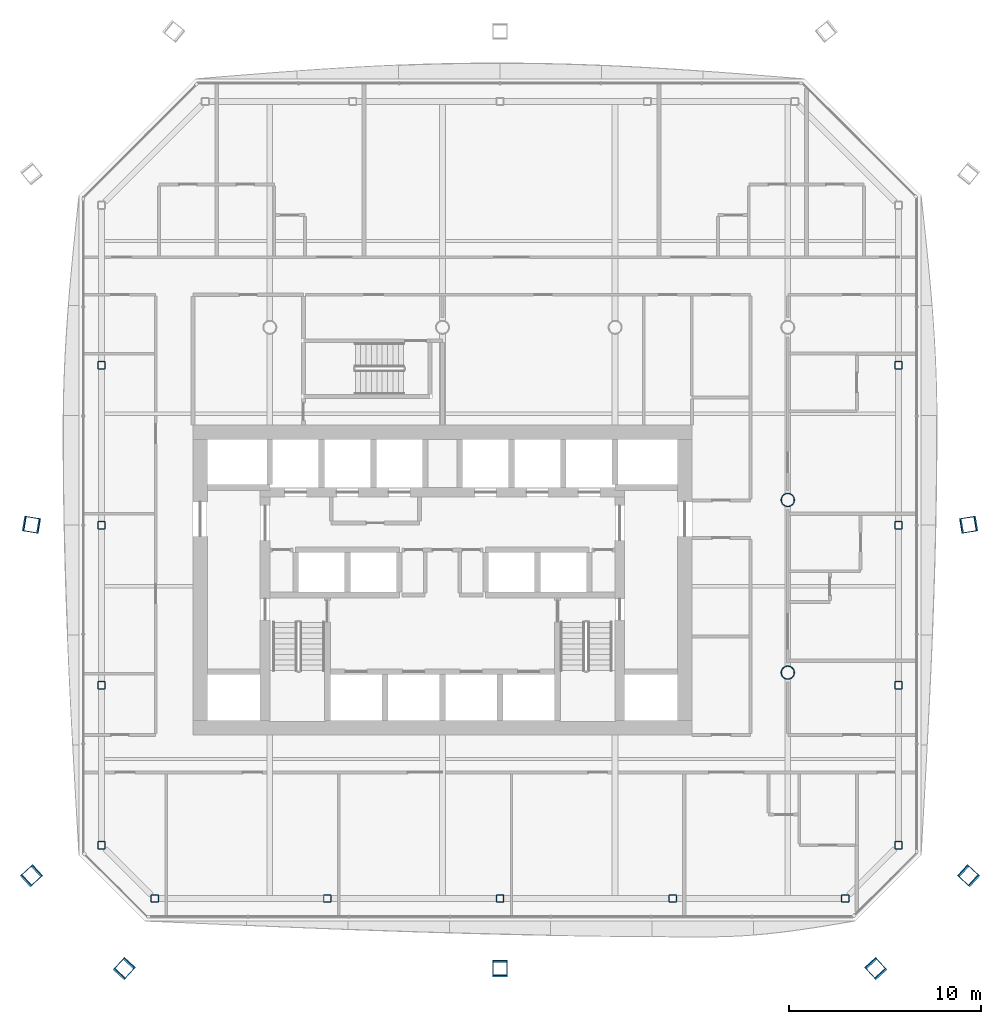
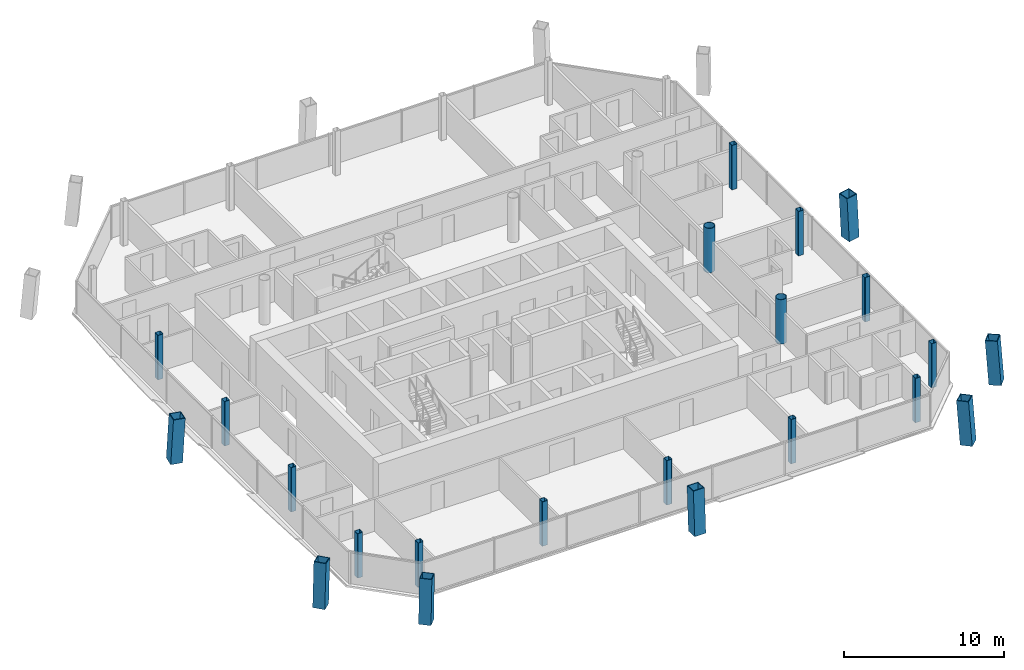
# One storey, part 1 of 17: 22 columns.
"""IFC4 building model written with IfcOpenShell, lengths in metres."""

from ifc_helpers import new_model, si_unit, direction, frame, origin, origin_2d, place, context, subcontext, project, spatial, hollow_rectangle, hollow_circle, extrude, material, material_profile, profile_set, type_object, element, save


model = new_model("IFC4")

# Units and contexts
model_context = context("Model", 3, precision=1e-05, world=origin(), true_north=direction((0.0, 1.0)))
body_context = subcontext(model_context, "Body", "Model", "MODEL_VIEW")
ifc_project = project(units=[si_unit("LENGTHUNIT", "METRE"), si_unit("AREAUNIT", "SQUARE_METRE"), si_unit("VOLUMEUNIT", "CUBIC_METRE"), si_unit("PLANEANGLEUNIT", "RADIAN"), si_unit("MASSUNIT", "GRAM", prefix="KILO")], contexts=[model_context])

# Site, building, storey
site_placement = place(None, origin())
site = spatial("IfcSite", under=ifc_project, at=site_placement, CompositionType="ELEMENT")
building_placement = place(site_placement, origin())
building = spatial("IfcBuilding", under=site, at=building_placement, Name="Tskaro Facet Tower", CompositionType="ELEMENT")
storey_placement = place(building_placement, frame((0.0, 0.0, 158.89990234375)))
storey = spatial("IfcBuildingStorey", under=building, at=storey_placement, Name="L39", CompositionType="ELEMENT", Elevation=158.89990234375)

# Columns
ifc_material_1 = material(Name="Steel S460M", Category="steel")
ifc_material_profile_1 = material_profile(ifc_material_1, hollow_rectangle(XDim=0.800048828125, YDim=0.800048828125, WallThickness=0.050048828125, at=origin_2d()), Name="BOX 800x800x50")
ifc_profile_set_1 = profile_set([ifc_material_profile_1], Name="Steel S460M")
column_type_1 = type_object("IfcColumnType", Name="BOX 800x800x50 mega column", PredefinedType="COLUMN", material=ifc_profile_set_1)
column_1_placement = place(storey_placement, frame((-16.616943359375, -24.458984375, 0.0), z_axis=(0.048975351425, 0.053691496377, 0.997355823249), x_axis=(-0.738809628439, 0.673914188103, 0.0)))
element("IfcColumn", 1, at=column_1_placement, inside=storey, type_object=column_type_1, Name="BOX 800x800x50 MC01/3", PredefinedType="COLUMN", context=body_context, shape_type="SweptSolid", body=[
    extrude(hollow_rectangle(XDim=0.800048828125, YDim=0.800048828125, WallThickness=0.050048828125, at=origin_2d()), origin(), (0.0, 0.0, 1.0), 3.36474609375),
])
column_2_placement = place(storey_placement, frame((3.0, -24.458984375, 0.0), z_axis=(0.0, 0.053729384031, 0.998555533404), x_axis=(-1.0, 0.0, 0.0)))
element("IfcColumn", 2, at=column_2_placement, inside=storey, type_object=column_type_1, Name="BOX 800x800x50 MC02/3", PredefinedType="COLUMN", context=body_context, shape_type="SweptSolid", body=[
    extrude(hollow_rectangle(XDim=0.800048828125, YDim=0.800048828125, WallThickness=0.050048828125, at=origin_2d()), origin(), (0.0, 0.0, 1.0), 3.37158203125),
])
for number, where, z_axis, x_axis, name in (
    (3, (22.616943359375, -24.458984375, 0.0), (-0.048975351425, 0.053691496377, 0.997355823249), (-0.738809628439, -0.673914188103, 0.0), "BOX 800x800x50 MC03/3"),
    (4, (27.458984375, -19.616943359375, 0.0), (-0.053691496377, 0.048975351425, 0.997355823249), (-0.673914188103, -0.738809628439, 0.0), "BOX 800x800x50 MC04/3"),
):
    element("IfcColumn", number, at=place(storey_placement, frame(where, z_axis=z_axis, x_axis=x_axis)), inside=storey, type_object=column_type_1, Name=name, PredefinedType="COLUMN", context=body_context, shape_type="SweptSolid", body=[
        extrude(hollow_rectangle(XDim=0.800048828125, YDim=0.800048828125, WallThickness=0.050048828125, at=origin_2d()), origin(), (0.0, 0.0, 1.0), 3.36474609375),
    ])
for number, where, z_axis, x_axis, name in (
    (5, (27.458984375, -1.285888671875, 0.0), (-0.053735057775, -0.00883514427, 0.998516140977), (0.162242075901, -0.986750986221, 0.0), "BOX 800x800x50 MC05/3"),
    (6, (-21.458984375, -1.285888671875, 0.0), (0.053735057775, -0.00883514427, 0.998516140977), (0.162242075901, 0.986750986221, 0.0), "BOX 800x800x50 MC11/3"),
):
    element("IfcColumn", number, at=place(storey_placement, frame(where, z_axis=z_axis, x_axis=x_axis)), inside=storey, type_object=column_type_1, Name=name, PredefinedType="COLUMN", context=body_context, shape_type="SweptSolid", body=[
        extrude(hollow_rectangle(XDim=0.800048828125, YDim=0.800048828125, WallThickness=0.050048828125, at=origin_2d()), origin(), (0.0, 0.0, 1.0), 3.37109375),
    ])
column_3_placement = place(storey_placement, frame((-21.458984375, -19.616943359375, 0.0), z_axis=(0.053691496377, 0.048975351425, 0.997355823249), x_axis=(-0.673914188103, 0.738809628439, 0.0)))
element("IfcColumn", 7, at=column_3_placement, inside=storey, type_object=column_type_1, Name="BOX 800x800x50 MC12/3", PredefinedType="COLUMN", context=body_context, shape_type="SweptSolid", body=[
    extrude(hollow_rectangle(XDim=0.800048828125, YDim=0.800048828125, WallThickness=0.050048828125, at=origin_2d()), origin(), (0.0, 0.0, 1.0), 3.36474609375),
])
ifc_material_2 = material(Name="Steel S355J2H", Category="steel")
ifc_material_profile_2 = material_profile(ifc_material_2, hollow_circle(Radius=0.35546875, WallThickness=0.031982421875, at=origin_2d()), Name="CHS 711x32")
ifc_profile_set_2 = profile_set([ifc_material_profile_2], Name="Steel S355J2H")
column_type_2 = type_object("IfcColumnType", Name="CHS 711x32 interior column", PredefinedType="COLUMN", material=ifc_profile_set_2)
for number, where, z_axis, x_axis, name in (
    (8, (18.0, -9.0, 0.0), (0.0, 0.0, 1.0), (1.0, 0.0, 0.0), "CHS 711x32 C6C/3"),
    (9, (18.0, 0.0, 0.0), (0.0, 0.0, 1.0), (1.0, 0.0, 0.0), "CHS 711x32 C6D/3"),
):
    element("IfcColumn", number, at=place(storey_placement, frame(where, z_axis=z_axis, x_axis=x_axis)), inside=storey, type_object=column_type_2, Name=name, PredefinedType="COLUMN", context=body_context, shape_type="SweptSolid", body=[
        extrude(hollow_circle(Radius=0.35546875, WallThickness=0.031982421875, at=origin_2d()), origin(), (0.0, 0.0, 1.0), 3.400146484375),
    ])
ifc_material_profile_3 = material_profile(ifc_material_2, hollow_rectangle(XDim=0.39990234375, YDim=0.39990234375, WallThickness=0.02001953125, InnerFilletRadius=0.030029296875, OuterFilletRadius=0.050048828125, at=origin_2d()), Name="SHS 400x400x20")
ifc_profile_set_3 = profile_set([ifc_material_profile_3], Name="Steel S355J2H")
column_type_3 = type_object("IfcColumnType", Name="SHS 400x400x20 ring column", PredefinedType="COLUMN", material=ifc_profile_set_3)
for number, where, z_axis, x_axis, name in (
    (10, (-14.9990234375, -20.77392578125, 0.0), (0.0, 0.0, 1.0), (1.0, 0.0, 0.0), "SHS 400x400x20 RS-1/3"),
    (11, (-6.0, -20.77392578125, 0.0), (0.0, 0.0, 1.0), (1.0, 0.0, 0.0), "SHS 400x400x20 RS-2/3"),
    (12, (3.0, -20.77392578125, 0.0), (0.0, 0.0, 1.0), (1.0, 0.0, 0.0), "SHS 400x400x20 RS-3/3"),
    (13, (12.0, -20.77392578125, 0.0), (0.0, 0.0, 1.0), (1.0, 0.0, 0.0), "SHS 400x400x20 RS-4/3"),
    (14, (20.9990234375, -20.77392578125, 0.0), (0.0, 0.0, 1.0), (1.0, 0.0, 0.0), "SHS 400x400x20 RSE-1/3"),
    (15, (23.77392578125, -17.9990234375, 0.0), (0.0, 0.0, 1.0), (1.0, 0.0, 0.0), "SHS 400x400x20 RE-1/3"),
    (16, (23.77392578125, -9.656982421875, 0.0), (0.0, 0.0, 1.0), (1.0, 0.0, 0.0), "SHS 400x400x20 RE-2/3"),
    (17, (23.77392578125, -1.31591796875, 0.0), (0.0, 0.0, 1.0), (1.0, 0.0, 0.0), "SHS 400x400x20 RE-3/3"),
    (18, (23.77392578125, 7.02587890625, 0.0), (0.0, 0.0, 1.0), (1.0, 0.0, 0.0), "SHS 400x400x20 RE-4/3"),
    (19, (-17.77392578125, 7.02587890625, 0.0), (0.0, 0.0, 1.0), (1.0, 0.0, 0.0), "SHS 400x400x20 RW-2/3"),
    (20, (-17.77392578125, -1.31494140625, 0.0), (0.0, 0.0, 1.0), (1.0, 0.0, 0.0), "SHS 400x400x20 RW-3/3"),
    (21, (-17.77392578125, -9.656982421875, 0.0), (0.0, 0.0, 1.0), (1.0, 0.0, 0.0), "SHS 400x400x20 RW-4/3"),
    (22, (-17.77392578125, -17.9990234375, 0.0), (0.0, 0.0, 1.0), (1.0, 0.0, 0.0), "SHS 400x400x20 RSW-1/3"),
):
    element("IfcColumn", number, at=place(storey_placement, frame(where, z_axis=z_axis, x_axis=x_axis)), inside=storey, type_object=column_type_3, Name=name, PredefinedType="COLUMN", context=body_context, shape_type="SweptSolid", body=[
        extrude(hollow_rectangle(XDim=0.39990234375, YDim=0.39990234375, WallThickness=0.02001953125, InnerFilletRadius=0.030029296875, OuterFilletRadius=0.050048828125, at=origin_2d()), origin(), (0.0, 0.0, 1.0), 3.400146484375),
    ])

save(model, "model.ifc")
